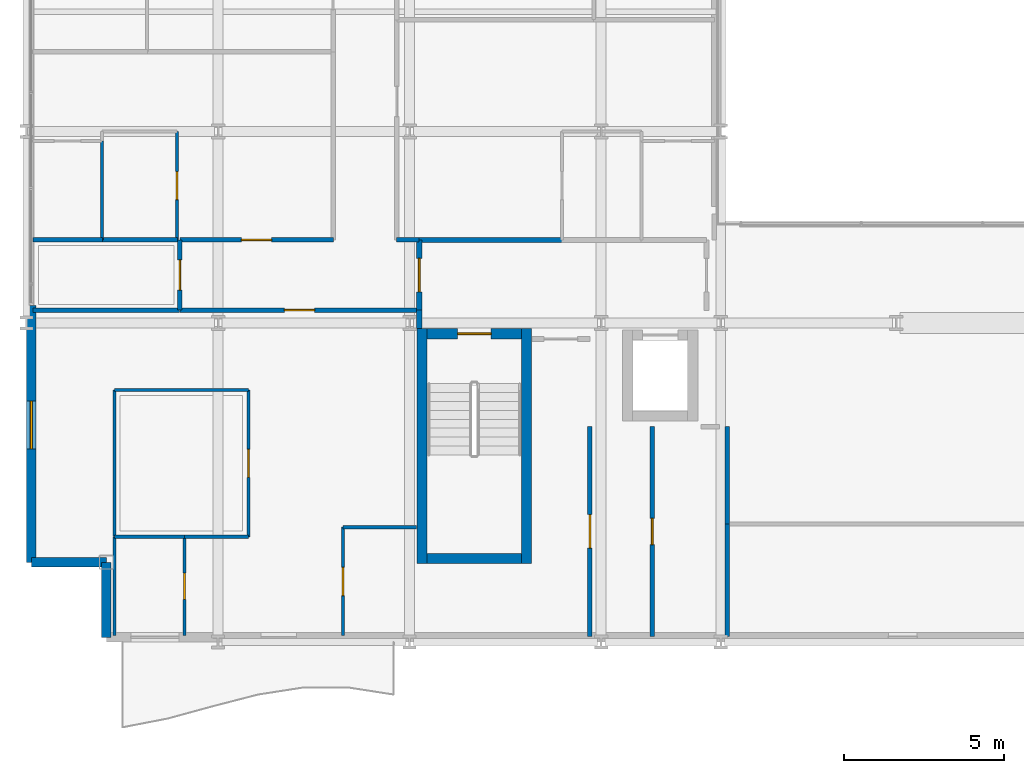
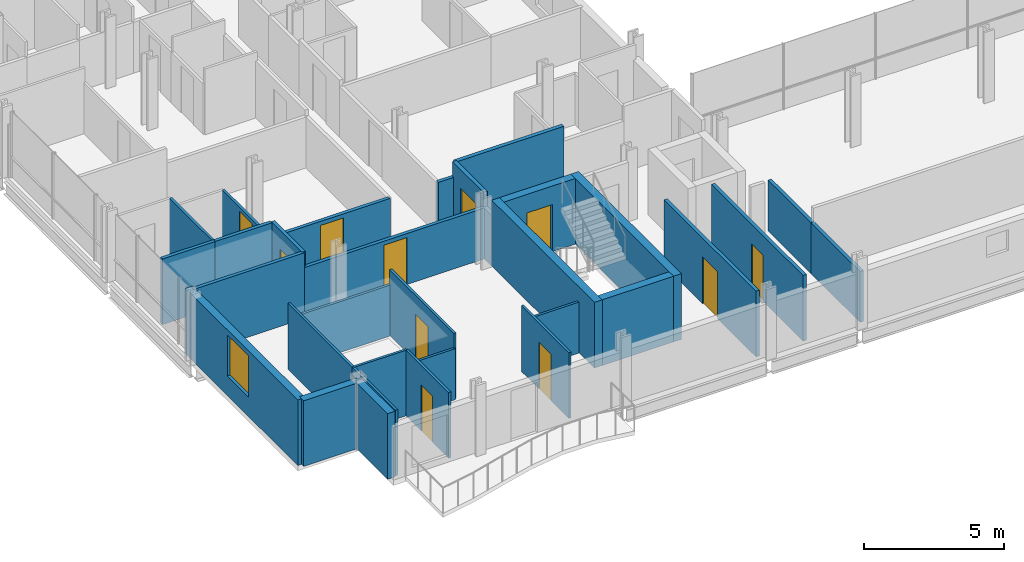
# One storey, part 31 of 41: 32 walls, 11 doors, 1 window, 12 openings.
"""IFC4 building model written with IfcOpenShell, lengths in metres."""

from ifc_helpers import new_model, si_unit, direction, frame, frame_2d, origin, place, context, subcontext, project, spatial, rectangle, extrude, material, layer, layer_set, type_object, element, fill, save


model = new_model("IFC4")

# Units and contexts
model_context = context("Model", 3, precision=1e-05, world=origin(), true_north=direction((0.0, 1.0)))
body_context = subcontext(model_context, "Body", "Model", "MODEL_VIEW")
ifc_project = project(units=[si_unit("LENGTHUNIT", "METRE"), si_unit("AREAUNIT", "SQUARE_METRE"), si_unit("VOLUMEUNIT", "CUBIC_METRE"), si_unit("PLANEANGLEUNIT", "RADIAN"), si_unit("MASSUNIT", "GRAM", prefix="KILO")], contexts=[model_context])

# Site, building, storey
site_placement = place(None, origin())
site = spatial("IfcSite", under=ifc_project, at=site_placement, CompositionType="ELEMENT")
building_placement = place(site_placement, origin())
building = spatial("IfcBuilding", under=site, at=building_placement, Name="Brevholm Reach", CompositionType="ELEMENT")
storey_placement = place(building_placement, frame((0.0, 0.0, 49.699951171875)))
storey = spatial("IfcBuildingStorey", under=building, at=storey_placement, Name="L13", CompositionType="ELEMENT", Elevation=49.699951171875)

# Walls
ifc_material_1 = material(Name="Concrete C60/75", Category="concrete")
ifc_layer_1 = layer(ifc_material_1, 0.320068359375)
ifc_layer_set_1 = layer_set([ifc_layer_1], Name="Concrete C60/75")
wall_type_1 = type_object("IfcWallType", Name="WAL-COR-320", PredefinedType="SHEAR", material=ifc_layer_set_1)
for number, where, z_axis, x_axis, name in (
    (1, (12.389892578125, 2.4599609375, 0.0), (0.0, 0.0, 1.0), (0.0, 1.0, 0.0), "L13 Escape Stair ST-1 Core Wall W"),
    (2, (15.659912109375, 2.4599609375, 0.0), (0.0, 0.0, 1.0), (0.0, 1.0, 0.0), "L13 Escape Stair ST-1 Core Wall E"),
):
    element("IfcWall", number, at=place(storey_placement, frame(where, z_axis=z_axis, x_axis=x_axis)), inside=storey, type_object=wall_type_1, Name=name, PredefinedType="SHEAR", context=body_context, shape_type="SweptSolid", body=[
        extrude(rectangle(XDim=7.360107421875, YDim=0.320068359375, at=frame_2d((3.68017578125, 0.0))), origin(), (0.0, 0.0, 1.0), 2.8701171875),
    ])
wall_1_placement = place(storey_placement, frame((12.550048828125, 2.6201171875, 0.0), z_axis=(0.0, 0.0, 1.0), x_axis=(1.0, 0.0, 0.0)))
element("IfcWall", 3, at=wall_1_placement, inside=storey, type_object=wall_type_1, Name="L13 Escape Stair ST-1 Core Wall S", PredefinedType="SHEAR", context=body_context, shape_type="SweptSolid", body=[
    extrude(rectangle(XDim=2.949951171875, YDim=0.320068359375, at=frame_2d((1.47509765625, 0.0))), origin(), (0.0, 0.0, 1.0), 2.8701171875),
])

# Wall, opening, door
wall_2_placement = place(storey_placement, frame((15.5, 9.659912109375, 0.0), z_axis=(0.0, 0.0, 1.0), x_axis=(-1.0, 0.0, 0.0)))
wall_2 = element("IfcWall", 4, at=wall_2_placement, inside=storey, type_object=wall_type_1, Name="L13 Escape Stair ST-1 Core Wall N", PredefinedType="SHEAR", context=body_context, shape_type="SweptSolid", body=[
    extrude(rectangle(XDim=2.949951171875, YDim=0.320068359375, at=frame_2d((1.47509765625, 0.0))), origin(), (0.0, 0.0, 1.0), 2.8701171875),
])
opening_1_placement = place(wall_2_placement, frame((0.949951171875, 0.0, 0.0)))
opening_1 = element("IfcOpeningElement", 5, at=opening_1_placement, cuts=wall_2, Name="Opening SD-ST-1", PredefinedType="OPENING", context=body_context, shape_type="SweptSolid", body=[
    extrude(rectangle(XDim=1.050048828125, YDim=2.06005859375, at=frame_2d((0.52490234375, 1.030029296875))), frame((0.0, 0.169921875, 0.0), z_axis=(0.0, -1.0, 0.0), x_axis=(1.0, 0.0, 0.0)), (0.0, 0.0, 1.0), 0.340087890625),
])
ifc_material_2 = material(Name="Hardwood-Lipped Steel-Core Fire and Smoke Door", Category="steel")
door_type_1 = type_object("IfcDoorType", Name="DOR-INT-FD60S", OperationType="NOTDEFINED", PredefinedType="DOOR", material=ifc_material_2)
door_1_placement = place(opening_1_placement, origin())
door_1 = element("IfcDoor", 6, at=door_1_placement, inside=storey, type_object=door_type_1, Name="L13 Protected Stair ST-1 Lobby Door", OperationType="SINGLE_SWING_LEFT", OverallHeight=2.06005859375, OverallWidth=1.050048828125, PredefinedType="DOOR", context=body_context, shape_type="SweptSolid", body=[
    extrude(rectangle(XDim=1.050048828125, YDim=2.06005859375, at=frame_2d((0.52490234375, 1.030029296875))), frame((0.0, 0.02490234375, 0.0), z_axis=(0.0, -1.0, 0.0), x_axis=(1.0, 0.0, 0.0)), (0.0, 0.0, 1.0), 0.050048828125),
])
fill(opening_1, door_1)

# Walls
ifc_material_3 = material(Name="Concrete C40/50", Category="concrete")
ifc_layer_2 = layer(ifc_material_3, 0.300048828125)
ifc_layer_set_2 = layer_set([ifc_layer_2], Name="Concrete C40/50")
wall_type_2 = type_object("IfcWallType", Name="WAL-EXT-300", PredefinedType="STANDARD", material=ifc_layer_set_2)
for number, where, z_axis, x_axis, name in (
    (7, (2.5, 2.5, 0.0), (0.0, 0.0, 1.0), (0.0, -1.0, 0.0), "L13 Facade Wall WAL-L13-CSW1"),
    (8, (0.14990234375, 2.5, 0.0), (0.0, 0.0, 1.0), (1.0, 0.0, 0.0), "L13 Facade Wall WAL-L13-CSW2"),
):
    element("IfcWall", number, at=place(storey_placement, frame(where, z_axis=z_axis, x_axis=x_axis)), inside=storey, type_object=wall_type_2, Name=name, PredefinedType="STANDARD", context=body_context, shape_type="SweptSolid", body=[
        extrude(rectangle(XDim=2.35009765625, YDim=0.300048828125, at=frame_2d((1.175048828125, 0.0))), origin(), (0.0, 0.0, 1.0), 2.8701171875),
    ])

# Wall, opening, window
wall_3_placement = place(storey_placement, frame((0.14990234375, 10.550048828125, 0.0), z_axis=(0.0, 0.0, 1.0), x_axis=(0.0, -1.0, 0.0)))
wall_3 = element("IfcWall", 9, at=wall_3_placement, inside=storey, type_object=wall_type_2, Name="L13 Facade Wall WAL-L13-W-S", PredefinedType="STANDARD", context=body_context, shape_type="SweptSolid", body=[
    extrude(rectangle(XDim=8.050048828125, YDim=0.300048828125, at=frame_2d((4.02490234375, 0.0))), origin(), (0.0, 0.0, 1.0), 2.8701171875),
])
opening_2_placement = place(wall_3_placement, frame((3.0, 0.0, 0.85009765625)))
opening_2 = element("IfcOpeningElement", 10, at=opening_2_placement, cuts=wall_3, Name="Opening WN-05", PredefinedType="OPENING", context=body_context, shape_type="SweptSolid", body=[
    extrude(rectangle(XDim=1.5, YDim=1.800048828125, at=frame_2d((0.75, 0.89990234375))), frame((0.0, 0.159912109375, 0.0), z_axis=(0.0, -1.0, 0.0), x_axis=(1.0, 0.0, 0.0)), (0.0, 0.0, 1.0), 0.320068359375),
])
ifc_material_4 = material(Name="Dark Anodised Aluminium and Solar-Control IGU Glass", Category="aluminium")
window_type = type_object("IfcWindowType", Name="WIN-RES-1500", PartitioningType="SINGLE_PANEL", PredefinedType="WINDOW", material=ifc_material_4)
window_placement = place(opening_2_placement, origin())
window = element("IfcWindow", 11, at=window_placement, inside=storey, type_object=window_type, Name="L13 Window WIN-L13-WS-1", OverallHeight=1.800048828125, OverallWidth=1.5, PartitioningType="SINGLE_PANEL", PredefinedType="WINDOW", context=body_context, shape_type="SweptSolid", body=[
    extrude(rectangle(XDim=1.5, YDim=1.800048828125, at=frame_2d((0.75, 0.89990234375))), frame((0.0, 0.030029296875, 0.0), z_axis=(0.0, -1.0, 0.0), x_axis=(1.0, 0.0, 0.0)), (0.0, 0.0, 1.0), 0.06005859375),
])
fill(opening_2, window)

# Wall
ifc_material_5 = material(Name="Moisture-Resistant Acoustic Gypsum Stud Partition 100 mm", Category="gypsum")
ifc_layer_3 = layer(ifc_material_5, 0.10009765625)
ifc_layer_set_3 = layer_set([ifc_layer_3], Name="Moisture-Resistant Acoustic Gypsum Stud Partition 100 mm")
wall_type_3 = type_object("IfcWallType", Name="WAL-PRT-100", PredefinedType="PARTITIONING", material=ifc_layer_set_3)
wall_4_placement = place(storey_placement, frame((2.75, 3.300048828125, 0.0), z_axis=(0.0, 0.0, 1.0), x_axis=(1.0, 0.0, 0.0)))
element("IfcWall", 12, at=wall_4_placement, inside=storey, type_object=wall_type_3, Name="L13 Internal Partition 052", PredefinedType="PARTITIONING", context=body_context, shape_type="SweptSolid", body=[
    extrude(rectangle(XDim=2.197021484375, YDim=0.10009765625, at=frame_2d((1.0986328125, 0.0))), origin(), (0.0, 0.0, 1.0), 2.8701171875),
])

# Wall, opening, door
wall_5_placement = place(storey_placement, frame((4.947021484375, 0.199951171875, 0.0), z_axis=(0.0, 0.0, 1.0), x_axis=(0.0, 1.0, 0.0)))
wall_5 = element("IfcWall", 13, at=wall_5_placement, inside=storey, type_object=wall_type_3, Name="L13 Internal Partition 053", PredefinedType="PARTITIONING", context=body_context, shape_type="SweptSolid", body=[
    extrude(rectangle(XDim=3.10009765625, YDim=0.10009765625, at=frame_2d((1.550048828125, 0.0))), origin(), (0.0, 0.0, 1.0), 2.8701171875),
])
opening_3_placement = place(wall_5_placement, frame((1.139892578125, 0.0, 0.0)))
opening_3 = element("IfcOpeningElement", 14, at=opening_3_placement, cuts=wall_5, Name="Opening ID-03", PredefinedType="OPENING", context=body_context, shape_type="SweptSolid", body=[
    extrude(rectangle(XDim=0.820068359375, YDim=2.02001953125, at=frame_2d((0.41015625, 1.010009765625))), frame((0.0, 0.06005859375, 0.0), z_axis=(0.0, -1.0, 0.0), x_axis=(1.0, 0.0, 0.0)), (0.0, 0.0, 1.0), 0.1201171875),
])
ifc_material_6 = material(Name="Moisture-Resistant Painted Timber Internal Bathroom Door", Category="wood")
door_type_2 = type_object("IfcDoorType", Name="DOR-BATH-820", OperationType="NOTDEFINED", PredefinedType="DOOR", material=ifc_material_6)
door_2_placement = place(opening_3_placement, origin())
door_2 = element("IfcDoor", 15, at=door_2_placement, inside=storey, type_object=door_type_2, Name="L13 Internal Door 024", OperationType="SINGLE_SWING_LEFT", OverallHeight=2.02001953125, OverallWidth=0.820068359375, PredefinedType="DOOR", context=body_context, shape_type="SweptSolid", body=[
    extrude(rectangle(XDim=0.820068359375, YDim=2.02001953125, at=frame_2d((0.41015625, 1.010009765625))), frame((0.0, 0.02490234375, 0.0), z_axis=(0.0, -1.0, 0.0), x_axis=(1.0, 0.0, 0.0)), (0.0, 0.0, 1.0), 0.050048828125),
])
fill(opening_3, door_2)

# Walls
wall_6_placement = place(storey_placement, frame((2.75, 0.199951171875, 0.0), z_axis=(0.0, 0.0, 1.0), x_axis=(0.0, 1.0, 0.0)))
element("IfcWall", 16, at=wall_6_placement, inside=storey, type_object=wall_type_3, Name="L13 Internal Partition 054", PredefinedType="PARTITIONING", context=body_context, shape_type="SweptSolid", body=[
    extrude(rectangle(XDim=3.10009765625, YDim=0.10009765625, at=frame_2d((1.550048828125, 0.0))), origin(), (0.0, 0.0, 1.0), 2.8701171875),
])
wall_7_placement = place(storey_placement, frame((9.912109375, 3.60009765625, 0.0), z_axis=(0.0, 0.0, 1.0), x_axis=(1.0, 0.0, 0.0)))
element("IfcWall", 17, at=wall_7_placement, inside=storey, type_object=wall_type_3, Name="L13 Internal Partition 055", PredefinedType="PARTITIONING", context=body_context, shape_type="SweptSolid", body=[
    extrude(rectangle(XDim=2.307861328125, YDim=0.10009765625, at=frame_2d((1.15380859375, 0.0))), origin(), (0.0, 0.0, 1.0), 2.224853515625),
])

# Wall, opening, door
wall_8_placement = place(storey_placement, frame((9.912109375, 0.199951171875, 0.0), z_axis=(0.0, 0.0, 1.0), x_axis=(0.0, 1.0, 0.0)))
wall_8 = element("IfcWall", 18, at=wall_8_placement, inside=storey, type_object=wall_type_3, Name="L13 Internal Partition 056", PredefinedType="PARTITIONING", context=body_context, shape_type="SweptSolid", body=[
    extrude(rectangle(XDim=3.400146484375, YDim=0.10009765625, at=frame_2d((1.7001953125, 0.0))), origin(), (0.0, 0.0, 1.0), 2.8701171875),
])
opening_4_placement = place(wall_8_placement, frame((1.260009765625, 0.0, 0.0)))
opening_4 = element("IfcOpeningElement", 19, at=opening_4_placement, cuts=wall_8, Name="Opening ID-01", PredefinedType="OPENING", context=body_context, shape_type="SweptSolid", body=[
    extrude(rectangle(XDim=0.8798828125, YDim=2.0400390625, at=frame_2d((0.43994140625, 1.02001953125))), frame((0.0, 0.06005859375, 0.0), z_axis=(0.0, -1.0, 0.0), x_axis=(1.0, 0.0, 0.0)), (0.0, 0.0, 1.0), 0.1201171875),
])
ifc_material_7 = material(Name="Lacquered Ash Solid-Core Acoustic Internal Door", Category="timber")
door_type_3 = type_object("IfcDoorType", Name="DOR-INT-880", OperationType="NOTDEFINED", PredefinedType="DOOR", material=ifc_material_7)
door_3_placement = place(opening_4_placement, origin())
door_3 = element("IfcDoor", 20, at=door_3_placement, inside=storey, type_object=door_type_3, Name="L13 Internal Door 025", OperationType="SINGLE_SWING_RIGHT", OverallHeight=2.0400390625, OverallWidth=0.8798828125, PredefinedType="DOOR", context=body_context, shape_type="SweptSolid", body=[
    extrude(rectangle(XDim=0.8798828125, YDim=2.0400390625, at=frame_2d((0.43994140625, 1.02001953125))), frame((0.0, 0.02490234375, 0.0), z_axis=(0.0, -1.0, 0.0), x_axis=(1.0, 0.0, 0.0)), (0.0, 0.0, 1.0), 0.050048828125),
])
fill(opening_4, door_3)

# Wall
wall_9_placement = place(storey_placement, frame((4.950927734375, 3.300048828125, 0.0), z_axis=(0.0, 0.0, 1.0), x_axis=(1.0, 0.0, 0.0)))
element("IfcWall", 21, at=wall_9_placement, inside=storey, type_object=wall_type_3, Name="L13 Internal Partition 057", PredefinedType="PARTITIONING", context=body_context, shape_type="SweptSolid", body=[
    extrude(rectangle(XDim=1.9990234375, YDim=0.10009765625, at=frame_2d((0.99951171875, 0.0))), origin(), (0.0, 0.0, 1.0), 2.224853515625),
])

# Wall, opening, door
wall_10_placement = place(storey_placement, frame((6.949951171875, 3.300048828125, 0.0), z_axis=(0.0, 0.0, 1.0), x_axis=(0.0, 1.0, 0.0)))
wall_10 = element("IfcWall", 22, at=wall_10_placement, inside=storey, type_object=wall_type_3, Name="L13 Internal Partition 058", PredefinedType="PARTITIONING", context=body_context, shape_type="SweptSolid", body=[
    extrude(rectangle(XDim=4.599853515625, YDim=0.10009765625, at=frame_2d((2.2998046875, 0.0))), origin(), (0.0, 0.0, 1.0), 2.8701171875),
])
opening_5_placement = place(wall_10_placement, frame((1.860107421875, 0.0, 0.0)))
opening_5 = element("IfcOpeningElement", 23, at=opening_5_placement, cuts=wall_10, Name="Opening ID-01", PredefinedType="OPENING", context=body_context, shape_type="SweptSolid", body=[
    extrude(rectangle(XDim=0.8798828125, YDim=2.0400390625, at=frame_2d((0.43994140625, 1.02001953125))), frame((0.0, 0.06005859375, 0.0), z_axis=(0.0, -1.0, 0.0), x_axis=(1.0, 0.0, 0.0)), (0.0, 0.0, 1.0), 0.1201171875),
])
door_4_placement = place(opening_5_placement, origin())
door_4 = element("IfcDoor", 24, at=door_4_placement, inside=storey, type_object=door_type_3, Name="L13 Internal Door 026", OperationType="SINGLE_SWING_LEFT", OverallHeight=2.0400390625, OverallWidth=0.8798828125, PredefinedType="DOOR", context=body_context, shape_type="SweptSolid", body=[
    extrude(rectangle(XDim=0.8798828125, YDim=2.0400390625, at=frame_2d((0.43994140625, 1.02001953125))), frame((0.0, 0.02490234375, 0.0), z_axis=(0.0, -1.0, 0.0), x_axis=(1.0, 0.0, 0.0)), (0.0, 0.0, 1.0), 0.050048828125),
])
fill(opening_5, door_4)

# Walls
wall_11_placement = place(storey_placement, frame((2.75, 7.89990234375, 0.0), z_axis=(0.0, 0.0, 1.0), x_axis=(1.0, 0.0, 0.0)))
element("IfcWall", 25, at=wall_11_placement, inside=storey, type_object=wall_type_3, Name="L13 Internal Partition 059", PredefinedType="PARTITIONING", context=body_context, shape_type="SweptSolid", body=[
    extrude(rectangle(XDim=4.199951171875, YDim=0.10009765625, at=frame_2d((2.10009765625, 0.0))), origin(), (0.0, 0.0, 1.0), 2.224853515625),
])
wall_12_placement = place(storey_placement, frame((2.75, 3.303955078125, 0.0), z_axis=(0.0, 0.0, 1.0), x_axis=(0.0, 1.0, 0.0)))
element("IfcWall", 26, at=wall_12_placement, inside=storey, type_object=wall_type_3, Name="L13 Internal Partition 060", PredefinedType="PARTITIONING", context=body_context, shape_type="SweptSolid", body=[
    extrude(rectangle(XDim=4.595947265625, YDim=0.10009765625, at=frame_2d((2.2978515625, 0.0))), origin(), (0.0, 0.0, 1.0), 2.8701171875),
])
wall_13_placement = place(storey_placement, frame((2.362060546875, 12.60400390625, 0.0), z_axis=(0.0, 0.0, 1.0), x_axis=(0.0, 1.0, 0.0)))
element("IfcWall", 27, at=wall_13_placement, inside=storey, type_object=wall_type_3, Name="L13 Internal Partition 075", PredefinedType="PARTITIONING", context=body_context, shape_type="SweptSolid", body=[
    extrude(rectangle(XDim=3.095947265625, YDim=0.10009765625, at=frame_2d((1.5478515625, 0.0))), origin(), (0.0, 0.0, 1.0), 2.8701171875),
])

# Wall, opening, door
wall_14_placement = place(storey_placement, frame((4.7119140625, 12.60400390625, 0.0), z_axis=(0.0, 0.0, 1.0), x_axis=(0.0, 1.0, 0.0)))
wall_14 = element("IfcWall", 28, at=wall_14_placement, inside=storey, type_object=wall_type_3, Name="L13 Internal Partition 077", PredefinedType="PARTITIONING", context=body_context, shape_type="SweptSolid", body=[
    extrude(rectangle(XDim=3.39599609375, YDim=0.10009765625, at=frame_2d((1.697998046875, 0.0))), origin(), (0.0, 0.0, 1.0), 2.224853515625),
])
opening_6_placement = place(wall_14_placement, frame((1.258056640625, 0.0, 0.0)))
opening_6 = element("IfcOpeningElement", 29, at=opening_6_placement, cuts=wall_14, Name="Opening ID-01", PredefinedType="OPENING", context=body_context, shape_type="SweptSolid", body=[
    extrude(rectangle(XDim=0.8798828125, YDim=2.0400390625, at=frame_2d((0.43994140625, 1.02001953125))), frame((0.0, 0.06005859375, 0.0), z_axis=(0.0, -1.0, 0.0), x_axis=(1.0, 0.0, 0.0)), (0.0, 0.0, 1.0), 0.1201171875),
])
door_5_placement = place(opening_6_placement, origin())
door_5 = element("IfcDoor", 30, at=door_5_placement, inside=storey, type_object=door_type_3, Name="L13 Internal Door 031", OperationType="SINGLE_SWING_RIGHT", OverallHeight=2.0400390625, OverallWidth=0.8798828125, PredefinedType="DOOR", context=body_context, shape_type="SweptSolid", body=[
    extrude(rectangle(XDim=0.8798828125, YDim=2.0400390625, at=frame_2d((0.43994140625, 1.02001953125))), frame((0.0, 0.02490234375, 0.0), z_axis=(0.0, -1.0, 0.0), x_axis=(1.0, 0.0, 0.0)), (0.0, 0.0, 1.0), 0.050048828125),
])
fill(opening_6, door_5)

# Walls
ifc_material_8 = material(Name="Twin-Stud Acoustic Fire-Rated Gypsum Partition 140 mm", Category="gypsum")
ifc_layer_4 = layer(ifc_material_8, 0.139892578125)
ifc_layer_set_4 = layer_set([ifc_layer_4], Name="Twin-Stud Acoustic Fire-Rated Gypsum Partition 140 mm")
wall_type_4 = type_object("IfcWallType", Name="WAL-PRT-140", PredefinedType="PARTITIONING", material=ifc_layer_set_4)
wall_15_placement = place(storey_placement, frame((21.949951171875, 0.179931640625, 0.0), z_axis=(0.0, 0.0, 1.0), x_axis=(0.0, 1.0, 0.0)))
element("IfcWall", 31, at=wall_15_placement, inside=storey, type_object=wall_type_4, Name="L13 Internal Partition 004", PredefinedType="PARTITIONING", context=body_context, shape_type="SweptSolid", body=[
    extrude(rectangle(XDim=3.52001953125, YDim=0.139892578125, at=frame_2d((1.760009765625, 0.0))), origin(), (0.0, 0.0, 1.0), 2.224853515625),
])
wall_16_placement = place(storey_placement, frame((21.949951171875, 3.7041015625, 0.0), z_axis=(0.0, 0.0, 1.0), x_axis=(0.0, 1.0, 0.0)))
element("IfcWall", 32, at=wall_16_placement, inside=storey, type_object=wall_type_4, Name="L13 Internal Partition 005", PredefinedType="PARTITIONING", context=body_context, shape_type="SweptSolid", body=[
    extrude(rectangle(XDim=3.05712890625, YDim=0.139892578125, at=frame_2d((1.528564453125, 0.0))), origin(), (0.0, 0.0, 1.0), 2.224853515625),
])

# Wall, opening, door
wall_17_placement = place(storey_placement, frame((17.64990234375, 0.179931640625, 0.0), z_axis=(0.0, 0.0, 1.0), x_axis=(0.0, 1.0, 0.0)))
wall_17 = element("IfcWall", 33, at=wall_17_placement, inside=storey, type_object=wall_type_4, Name="L13 Internal Partition 006", PredefinedType="PARTITIONING", context=body_context, shape_type="SweptSolid", body=[
    extrude(rectangle(XDim=6.581298828125, YDim=0.139892578125, at=frame_2d((3.29052734375, 0.0))), origin(), (0.0, 0.0, 1.0), 2.8701171875),
])
opening_7_placement = place(wall_17_placement, frame((2.765625, 0.0, 0.0)))
opening_7 = element("IfcOpeningElement", 34, at=opening_7_placement, cuts=wall_17, Name="Opening FD-01", PredefinedType="OPENING", context=body_context, shape_type="SweptSolid", body=[
    extrude(rectangle(XDim=1.050048828125, YDim=2.06005859375, at=frame_2d((0.52490234375, 1.030029296875))), frame((0.0, 0.079833984375, 0.0), z_axis=(0.0, -1.0, 0.0), x_axis=(1.0, 0.0, 0.0)), (0.0, 0.0, 1.0), 0.159912109375),
])
door_6_placement = place(opening_7_placement, origin())
door_6 = element("IfcDoor", 35, at=door_6_placement, inside=storey, type_object=door_type_1, Name="L13 Internal Door 003", OperationType="SINGLE_SWING_RIGHT", OverallHeight=2.06005859375, OverallWidth=1.050048828125, PredefinedType="DOOR", context=body_context, shape_type="SweptSolid", body=[
    extrude(rectangle(XDim=1.050048828125, YDim=2.06005859375, at=frame_2d((0.52490234375, 1.030029296875))), frame((0.0, 0.02490234375, 0.0), z_axis=(0.0, -1.0, 0.0), x_axis=(1.0, 0.0, 0.0)), (0.0, 0.0, 1.0), 0.050048828125),
])
fill(opening_7, door_6)

wall_18_placement = place(storey_placement, frame((19.60009765625, 0.179931640625, 0.0), z_axis=(0.0, 0.0, 1.0), x_axis=(0.0, 1.0, 0.0)))
wall_18 = element("IfcWall", 36, at=wall_18_placement, inside=storey, type_object=wall_type_4, Name="L13 Internal Partition 008", PredefinedType="PARTITIONING", context=body_context, shape_type="SweptSolid", body=[
    extrude(rectangle(XDim=6.570068359375, YDim=0.139892578125, at=frame_2d((3.28515625, 0.0))), origin(), (0.0, 0.0, 1.0), 2.8701171875),
])
opening_8_placement = place(wall_18_placement, frame((2.875, 0.0, 0.0)))
opening_8 = element("IfcOpeningElement", 37, at=opening_8_placement, cuts=wall_18, Name="Opening ID-02", PredefinedType="OPENING", context=body_context, shape_type="SweptSolid", body=[
    extrude(rectangle(XDim=0.820068359375, YDim=2.02001953125, at=frame_2d((0.41015625, 1.010009765625))), frame((0.0, 0.079833984375, 0.0), z_axis=(0.0, -1.0, 0.0), x_axis=(1.0, 0.0, 0.0)), (0.0, 0.0, 1.0), 0.159912109375),
])
ifc_material_9 = material(Name="Moisture-Resistant Painted Timber Fire-Rated Riser and Service Door", Category="wood")
door_type_4 = type_object("IfcDoorType", Name="DOR-SRV-820", OperationType="NOTDEFINED", PredefinedType="DOOR", material=ifc_material_9)
door_7_placement = place(opening_8_placement, origin())
door_7 = element("IfcDoor", 38, at=door_7_placement, inside=storey, type_object=door_type_4, Name="L13 Access Door 054", OperationType="SINGLE_SWING_LEFT", OverallHeight=2.02001953125, OverallWidth=0.820068359375, PredefinedType="DOOR", context=body_context, shape_type="SweptSolid", body=[
    extrude(rectangle(XDim=0.820068359375, YDim=2.02001953125, at=frame_2d((0.41015625, 1.010009765625))), frame((0.0, 0.02490234375, 0.0), z_axis=(0.0, -1.0, 0.0), x_axis=(1.0, 0.0, 0.0)), (0.0, 0.0, 1.0), 0.050048828125),
])
fill(opening_8, door_7)

wall_19_placement = place(storey_placement, frame((4.800048828125, 10.39990234375, 0.0), z_axis=(0.0, 0.0, 1.0), x_axis=(1.0, 0.0, 0.0)))
wall_19 = element("IfcWall", 39, at=wall_19_placement, inside=storey, type_object=wall_type_4, Name="L13 Internal Partition 023", PredefinedType="PARTITIONING", context=body_context, shape_type="SweptSolid", body=[
    extrude(rectangle(XDim=7.495849609375, YDim=0.139892578125, at=frame_2d((3.748046875, 0.0))), origin(), (0.0, 0.0, 1.0), 2.224853515625),
])
opening_9_placement = place(wall_19_placement, frame((3.27294921875, 0.0, 0.0)))
opening_9 = element("IfcOpeningElement", 40, at=opening_9_placement, cuts=wall_19, Name="Opening ID-30", PredefinedType="OPENING", context=body_context, shape_type="SweptSolid", body=[
    extrude(rectangle(XDim=0.949951171875, YDim=2.050048828125, at=frame_2d((0.47509765625, 1.02490234375))), frame((0.0, 0.079833984375, 0.0), z_axis=(0.0, -1.0, 0.0), x_axis=(1.0, 0.0, 0.0)), (0.0, 0.0, 1.0), 0.159912109375),
])
ifc_material_10 = material(Name="European Oak Veneered Solid-Core Fire Entrance Door", Category="timber")
door_type_5 = type_object("IfcDoorType", Name="DOR-FLT-FD30S", OperationType="NOTDEFINED", PredefinedType="DOOR", material=ifc_material_10)
door_8_placement = place(opening_9_placement, origin())
door_8 = element("IfcDoor", 41, at=door_8_placement, inside=storey, type_object=door_type_5, Name="L13 Internal Door 012", OperationType="SINGLE_SWING_LEFT", OverallHeight=2.050048828125, OverallWidth=0.949951171875, PredefinedType="DOOR", context=body_context, shape_type="SweptSolid", body=[
    extrude(rectangle(XDim=0.949951171875, YDim=2.050048828125, at=frame_2d((0.47509765625, 1.02490234375))), frame((0.0, 0.02490234375, 0.0), z_axis=(0.0, -1.0, 0.0), x_axis=(1.0, 0.0, 0.0)), (0.0, 0.0, 1.0), 0.050048828125),
])
fill(opening_9, door_8)

wall_20_placement = place(storey_placement, frame((4.800048828125, 10.39990234375, 0.0), z_axis=(0.0, 0.0, 1.0), x_axis=(0.0, 1.0, 0.0)))
wall_20 = element("IfcWall", 42, at=wall_20_placement, inside=storey, type_object=wall_type_4, Name="L13 Internal Partition 024", PredefinedType="PARTITIONING", context=body_context, shape_type="SweptSolid", body=[
    extrude(rectangle(XDim=2.2001953125, YDim=0.139892578125, at=frame_2d((1.10009765625, 0.0))), origin(), (0.0, 0.0, 1.0), 2.8701171875),
])
opening_10_placement = place(wall_20_placement, frame((0.625, 0.0, 0.0)))
opening_10 = element("IfcOpeningElement", 43, at=opening_10_placement, cuts=wall_20, Name="Opening ID-30", PredefinedType="OPENING", context=body_context, shape_type="SweptSolid", body=[
    extrude(rectangle(XDim=0.949951171875, YDim=2.050048828125, at=frame_2d((0.47509765625, 1.02490234375))), frame((0.0, 0.079833984375, 0.0), z_axis=(0.0, -1.0, 0.0), x_axis=(1.0, 0.0, 0.0)), (0.0, 0.0, 1.0), 0.159912109375),
])
door_9_placement = place(opening_10_placement, origin())
door_9 = element("IfcDoor", 44, at=door_9_placement, inside=storey, type_object=door_type_5, Name="L13 Internal Door 013", OperationType="SINGLE_SWING_RIGHT", OverallHeight=2.050048828125, OverallWidth=0.949951171875, PredefinedType="DOOR", context=body_context, shape_type="SweptSolid", body=[
    extrude(rectangle(XDim=0.949951171875, YDim=2.050048828125, at=frame_2d((0.47509765625, 1.02490234375))), frame((0.0, 0.02490234375, 0.0), z_axis=(0.0, -1.0, 0.0), x_axis=(1.0, 0.0, 0.0)), (0.0, 0.0, 1.0), 0.050048828125),
])
fill(opening_10, door_9)

wall_21_placement = place(storey_placement, frame((4.800048828125, 12.60009765625, 0.0), z_axis=(0.0, 0.0, 1.0), x_axis=(1.0, 0.0, 0.0)))
wall_21 = element("IfcWall", 45, at=wall_21_placement, inside=storey, type_object=wall_type_4, Name="L13 Internal Partition 025", PredefinedType="PARTITIONING", context=body_context, shape_type="SweptSolid", body=[
    extrude(rectangle(XDim=4.807373046875, YDim=0.139892578125, at=frame_2d((2.40380859375, 0.0))), origin(), (0.0, 0.0, 1.0), 2.224853515625),
])
opening_11_placement = place(wall_21_placement, frame((1.9287109375, 0.0, 0.0)))
opening_11 = element("IfcOpeningElement", 46, at=opening_11_placement, cuts=wall_21, Name="Opening ID-30", PredefinedType="OPENING", context=body_context, shape_type="SweptSolid", body=[
    extrude(rectangle(XDim=0.949951171875, YDim=2.050048828125, at=frame_2d((0.47509765625, 1.02490234375))), frame((0.0, 0.079833984375, 0.0), z_axis=(0.0, -1.0, 0.0), x_axis=(1.0, 0.0, 0.0)), (0.0, 0.0, 1.0), 0.159912109375),
])
door_10_placement = place(opening_11_placement, origin())
door_10 = element("IfcDoor", 47, at=door_10_placement, inside=storey, type_object=door_type_5, Name="L13 Internal Door 014", OperationType="SINGLE_SWING_LEFT", OverallHeight=2.050048828125, OverallWidth=0.949951171875, PredefinedType="DOOR", context=body_context, shape_type="SweptSolid", body=[
    extrude(rectangle(XDim=0.949951171875, YDim=2.050048828125, at=frame_2d((0.47509765625, 1.02490234375))), frame((0.0, 0.02490234375, 0.0), z_axis=(0.0, -1.0, 0.0), x_axis=(1.0, 0.0, 0.0)), (0.0, 0.0, 1.0), 0.050048828125),
])
fill(opening_11, door_10)

# Walls
wall_22_placement = place(storey_placement, frame((11.5927734375, 12.60009765625, 0.0), z_axis=(0.0, 0.0, 1.0), x_axis=(1.0, 0.0, 0.0)))
element("IfcWall", 48, at=wall_22_placement, inside=storey, type_object=wall_type_4, Name="L13 Internal Partition 026", PredefinedType="PARTITIONING", context=body_context, shape_type="SweptSolid", body=[
    extrude(rectangle(XDim=0.703125, YDim=0.139892578125, at=frame_2d((0.3515625, 0.0))), origin(), (0.0, 0.0, 1.0), 2.224853515625),
])
wall_23_placement = place(storey_placement, frame((0.199951171875, 10.39990234375, 0.0), z_axis=(0.0, 0.0, 1.0), x_axis=(1.0, 0.0, 0.0)))
element("IfcWall", 49, at=wall_23_placement, inside=storey, type_object=wall_type_4, Name="L13 Internal Partition 061", PredefinedType="PARTITIONING", context=body_context, shape_type="SweptSolid", body=[
    extrude(rectangle(XDim=4.595947265625, YDim=0.139892578125, at=frame_2d((2.2978515625, 0.0))), origin(), (0.0, 0.0, 1.0), 2.8701171875),
])
wall_24_placement = place(storey_placement, frame((0.199951171875, 12.60009765625, 0.0), z_axis=(0.0, 0.0, 1.0), x_axis=(1.0, 0.0, 0.0)))
element("IfcWall", 50, at=wall_24_placement, inside=storey, type_object=wall_type_4, Name="L13 Internal Partition 062", PredefinedType="PARTITIONING", context=body_context, shape_type="SweptSolid", body=[
    extrude(rectangle(XDim=2.17333984375, YDim=0.139892578125, at=frame_2d((1.086669921875, 0.0))), origin(), (0.0, 0.0, 1.0), 2.8701171875),
])
wall_25_placement = place(storey_placement, frame((2.354736328125, 12.60009765625, 0.0), z_axis=(0.0, 0.0, 1.0), x_axis=(1.0, 0.0, 0.0)))
element("IfcWall", 51, at=wall_25_placement, inside=storey, type_object=wall_type_4, Name="L13 Internal Partition 063", PredefinedType="PARTITIONING", context=body_context, shape_type="SweptSolid", body=[
    extrude(rectangle(XDim=2.36865234375, YDim=0.139892578125, at=frame_2d((1.184326171875, 0.0))), origin(), (0.0, 0.0, 1.0), 2.8701171875),
])

# Wall, opening, door
ifc_material_11 = material(Name="Twin-Frame Fire-Rated Gypsum Board and Mineral Wool 160 mm", Category="gypsum")
ifc_layer_5 = layer(ifc_material_11, 0.159912109375)
ifc_layer_set_5 = layer_set([ifc_layer_5], Name="Twin-Frame Fire-Rated Gypsum Board and Mineral Wool 160 mm")
wall_type_5 = type_object("IfcWallType", Name="WAL-PRT-160", PredefinedType="PARTITIONING", material=ifc_layer_set_5)
wall_26_placement = place(storey_placement, frame((12.300048828125, 10.388671875, 0.0), z_axis=(0.0, 0.0, 1.0), x_axis=(0.0, 1.0, 0.0)))
wall_26 = element("IfcWall", 52, at=wall_26_placement, inside=storey, type_object=wall_type_5, Name="L13 Internal Partition 013", PredefinedType="PARTITIONING", context=body_context, shape_type="SweptSolid", body=[
    extrude(rectangle(XDim=2.21142578125, YDim=0.159912109375, at=frame_2d((1.105712890625, 0.0))), origin(), (0.0, 0.0, 1.0), 2.8701171875),
])
opening_12_placement = place(wall_26_placement, frame((0.58056640625, 0.0, 0.0)))
opening_12 = element("IfcOpeningElement", 53, at=opening_12_placement, cuts=wall_26, Name="Opening FD-01", PredefinedType="OPENING", context=body_context, shape_type="SweptSolid", body=[
    extrude(rectangle(XDim=1.050048828125, YDim=2.06005859375, at=frame_2d((0.52490234375, 1.030029296875))), frame((0.0, 0.08984375, 0.0), z_axis=(0.0, -1.0, 0.0), x_axis=(1.0, 0.0, 0.0)), (0.0, 0.0, 1.0), 0.179931640625),
])
door_11_placement = place(opening_12_placement, origin())
door_11 = element("IfcDoor", 54, at=door_11_placement, inside=storey, type_object=door_type_1, Name="L13 Internal Door 008", OperationType="SINGLE_SWING_LEFT", OverallHeight=2.06005859375, OverallWidth=1.050048828125, PredefinedType="DOOR", context=body_context, shape_type="SweptSolid", body=[
    extrude(rectangle(XDim=1.050048828125, YDim=2.06005859375, at=frame_2d((0.52490234375, 1.030029296875))), frame((0.0, 0.02490234375, 0.0), z_axis=(0.0, -1.0, 0.0), x_axis=(1.0, 0.0, 0.0)), (0.0, 0.0, 1.0), 0.050048828125),
])
fill(opening_12, door_11)

# Walls
wall_27_placement = place(storey_placement, frame((12.300048828125, 9.830078125, 0.0), z_axis=(0.0, 0.0, 1.0), x_axis=(0.0, 1.0, 0.0)))
element("IfcWall", 55, at=wall_27_placement, inside=storey, type_object=wall_type_5, Name="L13 Internal Partition 015", PredefinedType="PARTITIONING", context=body_context, shape_type="SweptSolid", body=[
    extrude(rectangle(XDim=0.5771484375, YDim=0.159912109375, at=frame_2d((0.28857421875, 0.0))), origin(), (0.0, 0.0, 1.0), 2.224853515625),
])
wall_28_placement = place(storey_placement, frame((12.300048828125, 12.60009765625, 0.0), z_axis=(0.0, 0.0, 1.0), x_axis=(1.0, 0.0, 0.0)))
element("IfcWall", 56, at=wall_28_placement, inside=storey, type_object=wall_type_5, Name="L13 Internal Partition 018", PredefinedType="PARTITIONING", context=body_context, shape_type="SweptSolid", body=[
    extrude(rectangle(XDim=4.480224609375, YDim=0.159912109375, at=frame_2d((2.240234375, 0.0))), origin(), (0.0, 0.0, 1.0), 2.8701171875),
])

save(model, "model.ifc")
